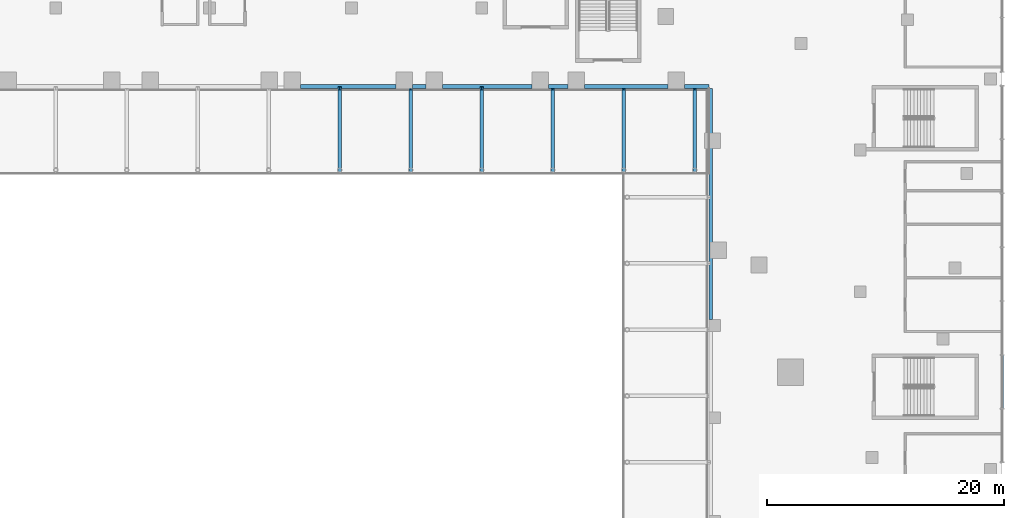
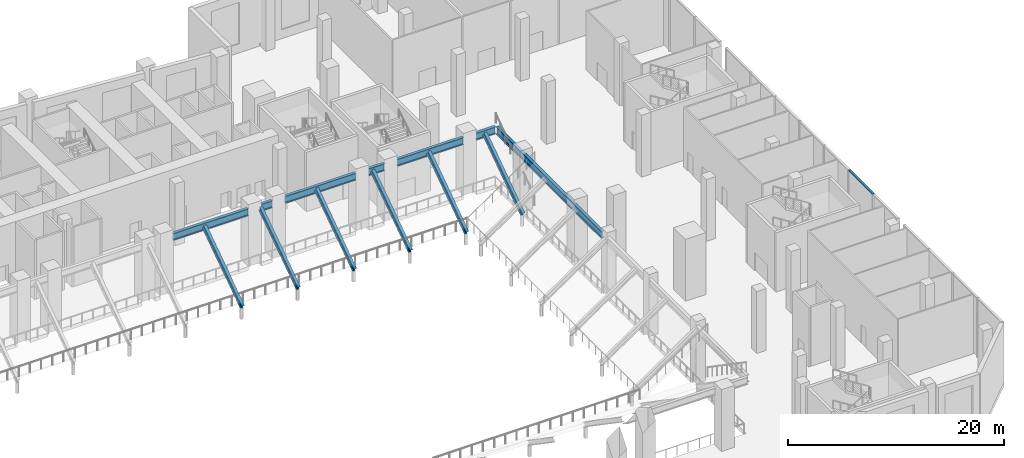
# One storey, part 14 of 41: 13 beams, 1 member, 1 element without a shape of its own.
"""IFC4 building model written with IfcOpenShell, lengths in metres."""

from ifc_helpers import new_model, si_unit, direction, frame, origin, origin_2d, place, context, subcontext, project, spatial, rectangle, i_section, extrude, material, material_profile, profile_set, type_object, element, aggregate, save


model = new_model("IFC4")

# Units and contexts
model_context = context("Model", 3, precision=1e-05, world=origin(), true_north=direction((0.0, 1.0)))
body_context = subcontext(model_context, "Body", "Model", "MODEL_VIEW")
ifc_project = project(units=[si_unit("LENGTHUNIT", "METRE"), si_unit("AREAUNIT", "SQUARE_METRE"), si_unit("VOLUMEUNIT", "CUBIC_METRE"), si_unit("PLANEANGLEUNIT", "RADIAN"), si_unit("MASSUNIT", "GRAM", prefix="KILO")], contexts=[model_context])

# Site, building, storey
site_placement = place(None, origin())
site = spatial("IfcSite", under=ifc_project, at=site_placement, CompositionType="ELEMENT")
building_placement = place(site_placement, origin())
building = spatial("IfcBuilding", under=site, at=building_placement, Name="Wharfspan Tower", CompositionType="ELEMENT")
storey_placement = place(building_placement, frame((0.0, 0.0, 8.0)))
storey = spatial("IfcBuildingStorey", under=building, at=storey_placement, Name="L01", CompositionType="ELEMENT", Elevation=8.0)

# Beams
ifc_material_1 = material(Name="Steel S460M", Category="steel")
ifc_material_profile_1 = material_profile(ifc_material_1, i_section(OverallWidth=0.305908, OverallDepth=0.523926, WebThickness=0.020996, FlangeThickness=0.040039, FilletRadius=0.0271, at=origin_2d()))
ifc_profile_set_1 = profile_set([ifc_material_profile_1], Name="Steel S460M")
beam_type_1 = type_object("IfcBeamType", Name="Raker beam HE 500 M", PredefinedType="BEAM", material=ifc_profile_set_1)
for number, where, z_axis, x_axis, name in (
    (1, (52.0, 18.148438, 1.384033), (0.0, 0.824029, 0.566547), (-1.0, 0.0, 0.0), "Upper tier raker beam"),
    (2, (58.0, 18.148438, 1.384033), (0.0, 0.824029, 0.566547), (-1.0, 0.0, 0.0), "Upper tier raker beam"),
    (3, (64.0, 18.148438, 1.384033), (0.0, 0.824029, 0.566547), (-1.0, 0.0, 0.0), "Upper tier raker beam"),
    (4, (70.0, 18.148438, 1.384033), (0.0, 0.824029, 0.566547), (-1.0, 0.0, 0.0), "Upper tier raker beam"),
    (5, (76.0, 18.148438, 1.384033), (0.0, 0.824029, 0.566547), (-1.0, 0.0, 0.0), "Upper tier raker beam"),
    (6, (82.0, 18.148438, 1.384033), (0.0, 0.824029, 0.566547), (-1.0, 0.0, 0.0), "Upper tier raker beam"),
):
    element("IfcBeam", number, at=place(storey_placement, frame(where, z_axis=z_axis, x_axis=x_axis)), inside=storey, type_object=beam_type_1, Name=name, PredefinedType="BEAM", context=body_context, shape_type="SweptSolid", body=[
        extrude(i_section(OverallWidth=0.305908, OverallDepth=0.523926, WebThickness=0.020996, FlangeThickness=0.040039, FilletRadius=0.0271, at=origin_2d()), origin(), (0.0, 0.0, 1.0), 8.557373),
    ])
ifc_material_profile_2 = material_profile(ifc_material_1, i_section(OverallWidth=0.302979, OverallDepth=0.813965, WebThickness=0.020996, FlangeThickness=0.040039, FilletRadius=0.030029, at=origin_2d()))
ifc_profile_set_2 = profile_set([ifc_material_profile_2], Name="Steel S460M")
beam_type_2 = type_object("IfcBeamType", Name="Ring girder HE 800 M", PredefinedType="BEAM", material=ifc_profile_set_2)
beam_1_placement = place(storey_placement, frame((48.699951, 25.351562, 6.143066), z_axis=(1.0, 0.0, 0.0), x_axis=(0.0, 1.0, 0.0)))
element("IfcBeam", 7, at=beam_1_placement, inside=storey, type_object=beam_type_2, Name="Ring girder of the upper tier", PredefinedType="BEAM", context=body_context, shape_type="SweptSolid", body=[
    extrude(i_section(OverallWidth=0.302979, OverallDepth=0.813965, WebThickness=0.020996, FlangeThickness=0.040039, FilletRadius=0.030029, at=origin_2d()), origin(), (0.0, 0.0, 1.0), 8.041992),
])
beam_2_placement = place(storey_placement, frame((58.14209, 25.351562, 6.143066), z_axis=(1.0, 0.0, 0.0), x_axis=(0.0, 1.0, 0.0)))
element("IfcBeam", 8, at=beam_2_placement, inside=storey, type_object=beam_type_2, Name="Ring girder of the upper tier", PredefinedType="BEAM", context=body_context, shape_type="SweptSolid", body=[
    extrude(i_section(OverallWidth=0.302979, OverallDepth=0.813965, WebThickness=0.020996, FlangeThickness=0.040039, FilletRadius=0.030029, at=origin_2d()), origin(), (0.0, 0.0, 1.0), 1.157959),
])
beam_3_placement = place(storey_placement, frame((60.699951, 25.351562, 6.143066), z_axis=(1.0, 0.0, 0.0), x_axis=(0.0, 1.0, 0.0)))
element("IfcBeam", 9, at=beam_3_placement, inside=storey, type_object=beam_type_2, Name="Ring girder of the upper tier", PredefinedType="BEAM", context=body_context, shape_type="SweptSolid", body=[
    extrude(i_section(OverallWidth=0.302979, OverallDepth=0.813965, WebThickness=0.020996, FlangeThickness=0.040039, FilletRadius=0.030029, at=origin_2d()), origin(), (0.0, 0.0, 1.0), 7.541992),
])
beam_4_placement = place(storey_placement, frame((69.64209, 25.351562, 6.143066), z_axis=(1.0, 0.0, 0.0), x_axis=(0.0, 1.0, 0.0)))
element("IfcBeam", 10, at=beam_4_placement, inside=storey, type_object=beam_type_2, Name="Ring girder of the upper tier", PredefinedType="BEAM", context=body_context, shape_type="SweptSolid", body=[
    extrude(i_section(OverallWidth=0.302979, OverallDepth=0.813965, WebThickness=0.020996, FlangeThickness=0.040039, FilletRadius=0.030029, at=origin_2d()), origin(), (0.0, 0.0, 1.0), 1.657959),
])
beam_5_placement = place(storey_placement, frame((72.699951, 25.351562, 6.143066), z_axis=(1.0, 0.0, 0.0), x_axis=(0.0, 1.0, 0.0)))
element("IfcBeam", 11, at=beam_5_placement, inside=storey, type_object=beam_type_2, Name="Ring girder of the upper tier", PredefinedType="BEAM", context=body_context, shape_type="SweptSolid", body=[
    extrude(i_section(OverallWidth=0.302979, OverallDepth=0.813965, WebThickness=0.020996, FlangeThickness=0.040039, FilletRadius=0.030029, at=origin_2d()), origin(), (0.0, 0.0, 1.0), 7.041992),
])
beam_6_placement = place(storey_placement, frame((81.14209, 25.351562, 6.143066), z_axis=(1.0, 0.0, 0.0), x_axis=(0.0, 1.0, 0.0)))
element("IfcBeam", 12, at=beam_6_placement, inside=storey, type_object=beam_type_2, Name="Ring girder of the upper tier", PredefinedType="BEAM", context=body_context, shape_type="SweptSolid", body=[
    extrude(i_section(OverallWidth=0.302979, OverallDepth=0.813965, WebThickness=0.020996, FlangeThickness=0.040039, FilletRadius=0.030029, at=origin_2d()), origin(), (0.0, 0.0, 1.0), 2.057861),
])
beam_7_placement = place(storey_placement, frame((83.351562, 5.639893, 6.143066), z_axis=(0.0, 1.0, 0.0), x_axis=(-1.0, 0.0, 0.0)))
element("IfcBeam", 13, at=beam_7_placement, inside=storey, type_object=beam_type_2, Name="Ring girder of the upper tier", PredefinedType="BEAM", context=body_context, shape_type="SweptSolid", body=[
    extrude(i_section(OverallWidth=0.302979, OverallDepth=0.813965, WebThickness=0.020996, FlangeThickness=0.040039, FilletRadius=0.030029, at=origin_2d()), origin(), (0.0, 0.0, 1.0), 19.560059),
])

# Curtain wall, member
ifc_material_2 = material(Name="Aluminium 6063-T6", Category="aluminium")
curtain_wall_type = type_object("IfcCurtainWallType", Name="CURTAIN WALL ARENA STICK WALL", PredefinedType="NOTDEFINED", material=ifc_material_2)
curtain_wall_placement = place(storey_placement, origin())
curtain_wall = element("IfcCurtainWall", 14, at=curtain_wall_placement, inside=storey, type_object=curtain_wall_type, Name="Concourse stick wall PF3.2", PredefinedType="NOTDEFINED")
ifc_material_profile_3 = material_profile(ifc_material_2, rectangle(XDim=0.219971, YDim=0.090088, at=origin_2d()))
ifc_profile_set_3 = profile_set([ifc_material_profile_3], Name="Aluminium 6063-T6")
member_type = type_object("IfcMemberType", Name="TRANSOM ARENA STICK WALL 90x220", PredefinedType="USERDEFINED", material=ifc_profile_set_3)
member_placement = place(storey_placement, frame((108.0, -1.85791, 6.655029), z_axis=(0.0, 1.0, 0.0), x_axis=(-1.0, 0.0, 0.0)))
member = element("IfcMember", 15, at=member_placement, type_object=member_type, Name="Concourse stick wall PF3.2 transom 2", ObjectType="TRANSOM", PredefinedType="USERDEFINED", context=body_context, shape_type="SweptSolid", body=[
    extrude(rectangle(XDim=0.219971, YDim=0.090088, at=origin_2d()), origin(), (0.0, 0.0, 1.0), 4.487305),
])
aggregate(curtain_wall, [member])

save(model, "model.ifc")
